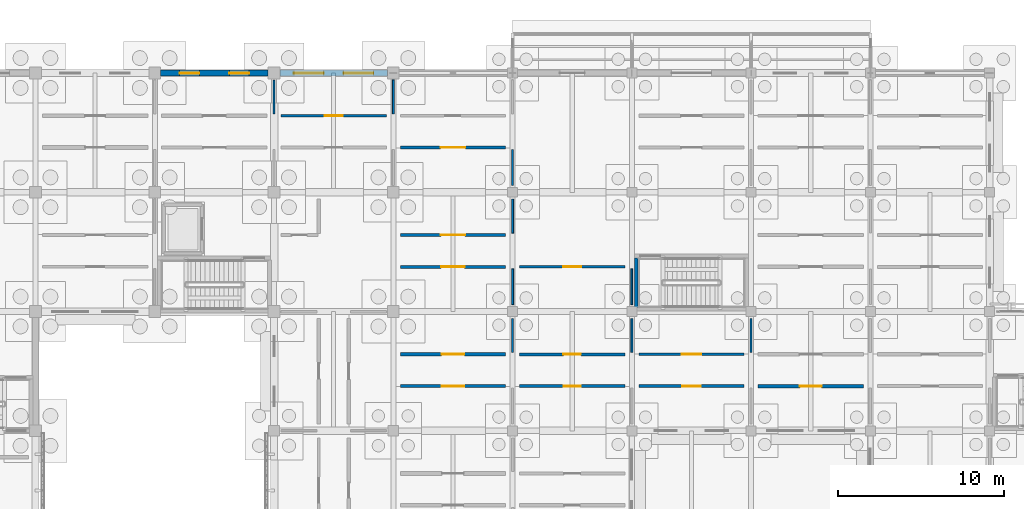
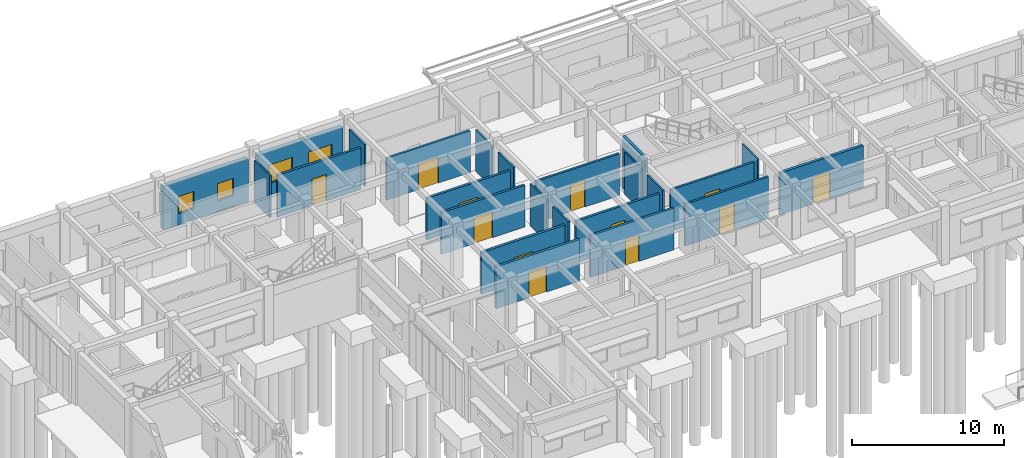
# One storey, part 70 of 111: 24 walls, 12 doors, 4 windows, 16 openings.
"""IFC4 building model written with IfcOpenShell, lengths in metres."""

import ifcopenshell
import ifcopenshell.guid

model = None  # the IFC model being written
_history = None  # IfcOwnerHistory: only IFC2X3 demands one
_inside = {}  # id of a spatial element -> (the spatial element, [elements in it])
_under = {}  # id of a project, library or spatial element -> (it, [spatial elements below it])
_declared = {}  # id of a project -> (the project, [libraries it declares])
_typed = {}  # id of a type object -> (the type object, [elements of that type])
_made_of = {}  # id of a material, layer set ... -> (it, [elements and type objects made of it])


def new_model(schema):
    """Start an empty IFC model of exactly this schema.

    Asked for "IFC4X3", IfcOpenShell would pick the latest addendum, in which some entities
    have other attributes; the version numbers below select the first issue.
    IFC2X3 requires an IfcOwnerHistory on every rooted entity: one is made here for all.
    """
    global model, _history
    if schema == "IFC4X3":
        model = ifcopenshell.file(schema_version=(4, 3, 0, 0))
    else:
        model = ifcopenshell.file(schema=schema)
    _inside.clear()
    _under.clear()
    _declared.clear()
    _typed.clear()
    _made_of.clear()
    _history = None
    if model.schema == "IFC2X3":
        org = make("IfcOrganization", Name="unknown")
        user = make(
            "IfcPersonAndOrganization",
            ThePerson=make("IfcPerson", FamilyName="unknown"),
            TheOrganization=org,
        )
        app = make(
            "IfcApplication",
            ApplicationDeveloper=org,
            Version="unknown",
            ApplicationFullName="unknown",
            ApplicationIdentifier="unknown",
        )
        _history = make(
            "IfcOwnerHistory",
            OwningUser=user,
            OwningApplication=app,
            ChangeAction="ADDED",
            CreationDate=0,
        )
    return model


def make(cls, **values):
    """One entity of the class cls with the attributes given. An attribute that is None is left unset."""
    return model.create_entity(
        cls, **{name: value for name, value in values.items() if value is not None}
    )


def rooted(cls, **values):
    """An entity with a GlobalId (a new one), such as an element, a storey or a relation."""
    return make(cls, GlobalId=ifcopenshell.guid.new(), OwnerHistory=_history, **values)


def si_unit(unit_type, name, prefix=None):
    """IfcSIUnit, for example si_unit("LENGTHUNIT", "METRE", prefix="MILLI")."""
    return make("IfcSIUnit", UnitType=unit_type, Prefix=prefix, Name=name)


def assignment(units):
    """IfcUnitAssignment: the units of a project."""
    return None if units is None else make("IfcUnitAssignment", Units=units)


def point(xyz):
    """IfcCartesianPoint."""
    return None if xyz is None else make("IfcCartesianPoint", Coordinates=xyz)


def direction(xyz):
    """IfcDirection."""
    return None if xyz is None else make("IfcDirection", DirectionRatios=xyz)


def frame(location, z_axis=None, x_axis=None):
    """IfcAxis2Placement3D, a coordinate frame: its origin and axes. An axis left out is left unset."""
    return make(
        "IfcAxis2Placement3D",
        Location=point(location),
        Axis=direction(z_axis),
        RefDirection=direction(x_axis),
    )


def frame_2d(location, x_axis=None):
    """IfcAxis2Placement2D, a coordinate frame in the plane: its origin and x axis."""
    return make(
        "IfcAxis2Placement2D", Location=point(location), RefDirection=direction(x_axis)
    )


def origin():
    """The frame at (0, 0, 0) with its axes left unset."""
    return frame((0.0, 0.0, 0.0))


def place(relative_to, where):
    """IfcLocalPlacement: puts the frame where relative to a parent placement (None: the world)."""
    return make(
        "IfcLocalPlacement", PlacementRelTo=relative_to, RelativePlacement=where
    )


def context(
    kind, dimensions, precision=None, world=None, true_north=None, identifier=None
):
    """IfcGeometricRepresentationContext, for example the 3D "Model" context."""
    return make(
        "IfcGeometricRepresentationContext",
        ContextIdentifier=identifier,
        ContextType=kind,
        CoordinateSpaceDimension=dimensions,
        Precision=precision,
        WorldCoordinateSystem=world,
        TrueNorth=true_north,
    )


def subcontext(parent, identifier, kind, view, scale=None):
    """IfcGeometricRepresentationSubContext, for example "Body" below "Model"."""
    return make(
        "IfcGeometricRepresentationSubContext",
        ContextIdentifier=identifier,
        ContextType=kind,
        ParentContext=parent,
        TargetScale=scale,
        TargetView=view,
    )


def project(units=None, contexts=None):
    """IfcProject with its units and contexts."""
    return rooted(
        "IfcProject",
        Name="project",
        RepresentationContexts=contexts,
        UnitsInContext=assignment(units),
    )


def spatial(cls, under=None, at=None, **own):
    """A site, building, storey or space (cls), placed at a placement, below another one or the project."""
    s = rooted(cls, ObjectPlacement=at, **own)
    if under is not None:
        _under.setdefault(under.id(), (under, []))[1].append(s)
    return s


def profile(cls, at=None, kind="AREA", **sizes):
    """A parametric profile (cls). Its sizes go by their IFC names, for example OverallWidth=200.0."""
    return make(cls, ProfileType=kind, Position=at, **sizes)


def rectangle(**sizes):
    """IfcRectangleProfileDef."""
    return profile("IfcRectangleProfileDef", **sizes)


def extrude(swept, where, along, depth):
    """IfcExtrudedAreaSolid: the profile swept, set in the frame where, extruded along a direction by depth."""
    return make(
        "IfcExtrudedAreaSolid",
        SweptArea=swept,
        Position=where,
        ExtrudedDirection=direction(along),
        Depth=depth,
    )


def shape(context_of_items, identifier, shape_type, items):
    """IfcShapeRepresentation: the items that make up one representation, for example the "Body"."""
    return make(
        "IfcShapeRepresentation",
        ContextOfItems=context_of_items,
        RepresentationIdentifier=identifier,
        RepresentationType=shape_type,
        Items=items,
    )


def material(Name=None, Category=None):
    """IfcMaterial."""
    return make("IfcMaterial", Name=Name, Category=Category)


def layer(
    of_material, thickness, ventilated=None, Name=None, Category=None, Priority=None
):
    """IfcMaterialLayer: one layer of a wall or slab, of a material (None: an air gap)."""
    return make(
        "IfcMaterialLayer",
        Material=of_material,
        LayerThickness=thickness,
        IsVentilated=ventilated,
        Name=Name,
        Category=Category,
        Priority=Priority,
    )


def layer_set(layers, Name=None):
    """IfcMaterialLayerSet."""
    return make("IfcMaterialLayerSet", MaterialLayers=layers, LayerSetName=Name)


def made_of(thing, what):
    """Note that an element or type object is made of a material, layer set ...; save() writes the relation."""
    if what is not None:
        _made_of.setdefault(what.id(), (what, []))[1].append(thing)
    return thing


def type_object(cls, material=None, **own):
    """A type object (cls), such as IfcWallType, which elements share."""
    return made_of(rooted(cls, **own), material)


def element(
    cls,
    number,
    at=None,
    inside=None,
    cuts=None,
    type_object=None,
    material=None,
    context=None,
    identifier="Body",
    shape_type=None,
    held_by="IfcProductDefinitionShape",
    body=None,
    shapes=None,
    **own,
):
    """One element of the class cls, such as IfcWall. Its Tag is "e" and its number.

    at: its placement. inside: the storey or other place that contains it. cuts: it is an
    opening in that element (IfcRelVoidsElement). A single representation is given by context,
    identifier, shape_type and body (its items); several are given by shapes. held_by: the class
    of the entity that holds the representations. save() writes the other relations.
    """
    e = rooted(cls, Tag="e%d" % number, ObjectPlacement=at, **own)
    if body is not None:
        shapes = [shape(context, identifier, shape_type, body)]
    if shapes is not None:
        e.Representation = make(held_by, Representations=shapes)
    if inside is not None:
        _inside.setdefault(inside.id(), (inside, []))[1].append(e)
    if cuts is not None:
        rooted(
            "IfcRelVoidsElement", RelatingBuildingElement=cuts, RelatedOpeningElement=e
        )
    if type_object is not None:
        _typed.setdefault(type_object.id(), (type_object, []))[1].append(e)
    return made_of(e, material)


def fill(opening, filler):
    """IfcRelFillsElement: the door or window that sits in an opening."""
    return rooted(
        "IfcRelFillsElement",
        RelatingOpeningElement=opening,
        RelatedBuildingElement=filler,
    )


def aggregate(whole, parts):
    """IfcRelAggregates: a whole, such as a stair, and the parts it consists of."""
    return rooted("IfcRelAggregates", RelatingObject=whole, RelatedObjects=parts)


def save(model, path):
    """Write the relations noted so far, then the file.

    IfcRelAggregates (storeys below a building ...), IfcRelContainedInSpatialStructure (elements
    in a storey), IfcRelDefinesByType, IfcRelAssociatesMaterial and IfcRelDeclares: one each for
    every whole, place, type object, material and project.
    """
    for whole, parts in _under.values():
        aggregate(whole, parts)
    for where, things in _inside.values():
        rooted(
            "IfcRelContainedInSpatialStructure",
            RelatedElements=things,
            RelatingStructure=where,
        )
    for kind, things in _typed.values():
        rooted("IfcRelDefinesByType", RelatedObjects=things, RelatingType=kind)
    for what, things in _made_of.values():
        rooted("IfcRelAssociatesMaterial", RelatedObjects=things, RelatingMaterial=what)
    for by, libraries in _declared.values():
        rooted("IfcRelDeclares", RelatingContext=by, RelatedDefinitions=libraries)
    model.write(path)


model = new_model("IFC4")

# Units and contexts
model_context = context("Model", 3, precision=1e-05, world=origin(), true_north=direction((0.0, 1.0)))
body_context = subcontext(model_context, "Body", "Model", "MODEL_VIEW")
ifc_project = project(units=[si_unit("LENGTHUNIT", "METRE"), si_unit("AREAUNIT", "SQUARE_METRE"), si_unit("VOLUMEUNIT", "CUBIC_METRE"), si_unit("PLANEANGLEUNIT", "RADIAN"), si_unit("MASSUNIT", "GRAM", prefix="KILO")], contexts=[model_context])

# Site, building, storey
site_placement = place(None, origin())
site = spatial("IfcSite", under=ifc_project, at=site_placement, CompositionType="ELEMENT")
building_placement = place(site_placement, origin())
building = spatial("IfcBuilding", under=site, at=building_placement, Name="Aldebral Square Health Centre", CompositionType="ELEMENT")
storey_placement = place(building_placement, origin())
storey = spatial("IfcBuildingStorey", under=building, at=storey_placement, Name="L00", CompositionType="ELEMENT", Elevation=0.0)

# Wall, openings, windows
ifc_material_1 = material(Name="Cream cantera stone and concrete wall C35/45", Category="masonry")
ifc_layer_1 = layer(ifc_material_1, 0.340087890625, Name="Cream cantera stone and concrete wall C35/45", Category="masonry")
ifc_layer_set_1 = layer_set([ifc_layer_1], Name="Cream cantera stone and concrete wall C35/45")
wall_type_1 = type_object("IfcWallType", Name="EW-CAN-340", PredefinedType="SOLIDWALL", material=ifc_layer_set_1)
wall_1_placement = place(storey_placement, frame((21.25, 115.199951171875, 0.0), z_axis=(0.0, 0.0, 1.0), x_axis=(-1.0, 0.0, 0.0)))
wall_1 = element("IfcWall", 1, at=wall_1_placement, inside=storey, type_object=wall_type_1, Name="L00 V4 exterior wall L00-V4-02-15-N", PredefinedType="SOLIDWALL", context=body_context, shape_type="SweptSolid", body=[
    extrude(rectangle(XDim=6.5, YDim=0.340087890625, at=frame_2d((3.25, 0.0))), origin(), (0.0, 0.0, 1.0), 3.469970703125),
])
opening_1_placement = place(wall_1_placement, frame((1.14990234375, 0.0, 0.89990234375)))
opening_1 = element("IfcOpeningElement", 2, at=opening_1_placement, cuts=wall_1, Name="Opening W12", PredefinedType="OPENING", context=body_context, shape_type="SweptSolid", body=[
    extrude(rectangle(XDim=1.199951171875, YDim=1.3798828125, at=frame_2d((0.60009765625, 0.68994140625))), frame((0.0, 0.18017578125, 0.0), z_axis=(0.0, -1.0, 0.0), x_axis=(1.0, 0.0, 0.0)), (0.0, 0.0, 1.0), 0.360107421875),
])
opening_2_placement = place(wall_1_placement, frame((4.14990234375, 0.0, 0.89990234375)))
opening_2 = element("IfcOpeningElement", 3, at=opening_2_placement, cuts=wall_1, Name="Opening W12", PredefinedType="OPENING", context=body_context, shape_type="SweptSolid", body=[
    extrude(rectangle(XDim=1.199951171875, YDim=1.3798828125, at=frame_2d((0.60009765625, 0.68994140625))), frame((0.0, 0.18017578125, 0.0), z_axis=(0.0, -1.0, 0.0), x_axis=(1.0, 0.0, 0.0)), (0.0, 0.0, 1.0), 0.360107421875),
])
ifc_material_2 = material(Name="Thermally broken aluminium and low-E glass", Category="aluminium")
window_type_1 = type_object("IfcWindowType", Name="WIN-W12", PartitioningType="SINGLE_PANEL", PredefinedType="WINDOW", material=ifc_material_2)
window_1_placement = place(opening_1_placement, origin())
window_1 = element("IfcWindow", 4, at=window_1_placement, inside=storey, type_object=window_type_1, Name="L00 clinical window L00-V4-02-15-N.1", OverallHeight=1.3798828125, OverallWidth=1.199951171875, PartitioningType="SINGLE_PANEL", PredefinedType="WINDOW", context=body_context, shape_type="SweptSolid", body=[
    extrude(rectangle(XDim=1.199951171875, YDim=1.3798828125, at=frame_2d((0.60009765625, 0.68994140625))), frame((0.0, 0.030029296875, 0.0), z_axis=(0.0, -1.0, 0.0), x_axis=(1.0, 0.0, 0.0)), (0.0, 0.0, 1.0), 0.06005859375),
])
fill(opening_1, window_1)
window_2_placement = place(opening_2_placement, origin())
window_2 = element("IfcWindow", 5, at=window_2_placement, inside=storey, type_object=window_type_1, Name="L00 clinical window L00-V4-02-15-N.2", OverallHeight=1.3798828125, OverallWidth=1.199951171875, PartitioningType="SINGLE_PANEL", PredefinedType="WINDOW", context=body_context, shape_type="SweptSolid", body=[
    extrude(rectangle(XDim=1.199951171875, YDim=1.3798828125, at=frame_2d((0.60009765625, 0.68994140625))), frame((0.0, 0.030029296875, 0.0), z_axis=(0.0, -1.0, 0.0), x_axis=(1.0, 0.0, 0.0)), (0.0, 0.0, 1.0), 0.06005859375),
])
fill(opening_2, window_2)

ifc_layer_2 = layer(ifc_material_1, 0.360107421875, Name="Cream cantera stone and concrete wall C35/45", Category="masonry")
ifc_layer_set_2 = layer_set([ifc_layer_2], Name="Cream cantera stone and concrete wall C35/45")
wall_type_2 = type_object("IfcWallType", Name="EW-CAN-360", PredefinedType="SOLIDWALL", material=ifc_layer_set_2)
wall_2_placement = place(storey_placement, frame((28.449951171875, 115.199951171875, 0.0), z_axis=(0.0, 0.0, 1.0), x_axis=(-1.0, 0.0, 0.0)))
wall_2 = element("IfcWall", 6, at=wall_2_placement, inside=storey, type_object=wall_type_2, Name="L00 V4 exterior wall L00-V4-03-15-N", PredefinedType="SOLIDWALL", context=body_context, shape_type="SweptSolid", body=[
    extrude(rectangle(XDim=6.5, YDim=0.360107421875, at=frame_2d((3.25, 0.0))), origin(), (0.0, 0.0, 1.0), 3.469970703125),
])
opening_3_placement = place(wall_2_placement, frame((0.85009765625, 0.0, 0.89990234375)))
opening_3 = element("IfcOpeningElement", 7, at=opening_3_placement, cuts=wall_2, Name="Opening W25", PredefinedType="OPENING", context=body_context, shape_type="SweptSolid", body=[
    extrude(rectangle(XDim=1.800048828125, YDim=1.5, at=frame_2d((0.89990234375, 0.75))), frame((0.0, 0.18994140625, 0.0), z_axis=(0.0, -1.0, 0.0), x_axis=(1.0, 0.0, 0.0)), (0.0, 0.0, 1.0), 0.380126953125),
])
opening_4_placement = place(wall_2_placement, frame((3.85009765625, 0.0, 0.89990234375)))
opening_4 = element("IfcOpeningElement", 8, at=opening_4_placement, cuts=wall_2, Name="Opening W25", PredefinedType="OPENING", context=body_context, shape_type="SweptSolid", body=[
    extrude(rectangle(XDim=1.800048828125, YDim=1.5, at=frame_2d((0.89990234375, 0.75))), frame((0.0, 0.18994140625, 0.0), z_axis=(0.0, -1.0, 0.0), x_axis=(1.0, 0.0, 0.0)), (0.0, 0.0, 1.0), 0.380126953125),
])
window_type_2 = type_object("IfcWindowType", Name="WIN-W25", PartitioningType="SINGLE_PANEL", PredefinedType="WINDOW", material=ifc_material_2)
window_3_placement = place(opening_3_placement, origin())
window_3 = element("IfcWindow", 9, at=window_3_placement, inside=storey, type_object=window_type_2, Name="L00 clinical window L00-V4-03-15-N.1", OverallHeight=1.5, OverallWidth=1.800048828125, PartitioningType="SINGLE_PANEL", PredefinedType="WINDOW", context=body_context, shape_type="SweptSolid", body=[
    extrude(rectangle(XDim=1.800048828125, YDim=1.5, at=frame_2d((0.89990234375, 0.75))), frame((0.0, 0.030029296875, 0.0), z_axis=(0.0, -1.0, 0.0), x_axis=(1.0, 0.0, 0.0)), (0.0, 0.0, 1.0), 0.06005859375),
])
fill(opening_3, window_3)
window_4_placement = place(opening_4_placement, origin())
window_4 = element("IfcWindow", 10, at=window_4_placement, inside=storey, type_object=window_type_2, Name="L00 clinical window L00-V4-03-15-N.2", OverallHeight=1.5, OverallWidth=1.800048828125, PartitioningType="SINGLE_PANEL", PredefinedType="WINDOW", context=body_context, shape_type="SweptSolid", body=[
    extrude(rectangle(XDim=1.800048828125, YDim=1.5, at=frame_2d((0.89990234375, 0.75))), frame((0.0, 0.030029296875, 0.0), z_axis=(0.0, -1.0, 0.0), x_axis=(1.0, 0.0, 0.0)), (0.0, 0.0, 1.0), 0.06005859375),
])
fill(opening_4, window_4)

# Wall, opening, door
ifc_material_3 = material(Name="Concrete C35/45 compartment wall", Category="concrete")
ifc_layer_3 = layer(ifc_material_3, 0.199951171875, Name="Concrete C35/45 compartment wall", Category="concrete")
ifc_layer_set_3 = layer_set([ifc_layer_3], Name="Concrete C35/45 compartment wall")
wall_type_3 = type_object("IfcWallType", Name="IW-CMP-200", PredefinedType="SOLIDWALL", material=ifc_layer_set_3)
wall_3_placement = place(storey_placement, frame((29.219970703125, 96.300048828125, 0.0), z_axis=(0.0, 0.0, 1.0), x_axis=(1.0, 0.0, 0.0)))
wall_3 = element("IfcWall", 11, at=wall_3_placement, inside=storey, type_object=wall_type_3, Name="L00 Microbiology Laboratory 5.14S corridor wall", PredefinedType="SOLIDWALL", context=body_context, shape_type="SweptSolid", body=[
    extrude(rectangle(XDim=6.360107421875, YDim=0.199951171875, at=frame_2d((3.18017578125, 0.0))), origin(), (0.0, 0.0, 1.0), 3.360107421875),
])
opening_5_placement = place(wall_3_placement, frame((2.510009765625, 0.0, 0.0)))
opening_5 = element("IfcOpeningElement", 12, at=opening_5_placement, cuts=wall_3, Name="Opening D-FD60-32", PredefinedType="OPENING", context=body_context, shape_type="SweptSolid", body=[
    extrude(rectangle(XDim=1.340087890625, YDim=2.090087890625, at=frame_2d((0.669921875, 1.044921875))), frame((0.0, 0.10986328125, 0.0), z_axis=(0.0, -1.0, 0.0), x_axis=(1.0, 0.0, 0.0)), (0.0, 0.0, 1.0), 0.219970703125),
])
ifc_material_4 = material(Name="Clinical suite fire door")
door_type_1 = type_object("IfcDoorType", Name="ID-EXD-27", OperationType="NOTDEFINED", PredefinedType="DOOR", material=ifc_material_4)
door_1_placement = place(opening_5_placement, origin())
door_1 = element("IfcDoor", 13, at=door_1_placement, inside=storey, type_object=door_type_1, Name="L00 Microbiology Laboratory 5.14S door", OperationType="SINGLE_SWING_LEFT", OverallHeight=2.090087890625, OverallWidth=1.340087890625, PredefinedType="DOOR", context=body_context, shape_type="SweptSolid", body=[
    extrude(rectangle(XDim=1.340087890625, YDim=2.090087890625, at=frame_2d((0.669921875, 1.044921875))), frame((0.0, 0.02490234375, 0.0), z_axis=(0.0, -1.0, 0.0), x_axis=(1.0, 0.0, 0.0)), (0.0, 0.0, 1.0), 0.050048828125),
])
fill(opening_5, door_1)

wall_4_placement = place(storey_placement, frame((29.219970703125, 98.219970703125, 0.0), z_axis=(0.0, 0.0, 1.0), x_axis=(1.0, 0.0, 0.0)))
wall_4 = element("IfcWall", 14, at=wall_4_placement, inside=storey, type_object=wall_type_3, Name="L00 Urgent Triage Exam 5.14N corridor wall", PredefinedType="SOLIDWALL", context=body_context, shape_type="SweptSolid", body=[
    extrude(rectangle(XDim=6.360107421875, YDim=0.199951171875, at=frame_2d((3.18017578125, 0.0))), origin(), (0.0, 0.0, 1.0), 3.360107421875),
])
opening_6_placement = place(wall_4_placement, frame((2.489990234375, 0.0, 0.0)))
opening_6 = element("IfcOpeningElement", 15, at=opening_6_placement, cuts=wall_4, Name="Opening D-FD60-33", PredefinedType="OPENING", context=body_context, shape_type="SweptSolid", body=[
    extrude(rectangle(XDim=1.3798828125, YDim=2.090087890625, at=frame_2d((0.68994140625, 1.044921875))), frame((0.0, 0.10986328125, 0.0), z_axis=(0.0, -1.0, 0.0), x_axis=(1.0, 0.0, 0.0)), (0.0, 0.0, 1.0), 0.219970703125),
])
door_type_2 = type_object("IfcDoorType", Name="ID-EXD-28", OperationType="NOTDEFINED", PredefinedType="DOOR", material=ifc_material_4)
door_2_placement = place(opening_6_placement, origin())
door_2 = element("IfcDoor", 16, at=door_2_placement, inside=storey, type_object=door_type_2, Name="L00 Urgent Triage Exam 5.14N door", OperationType="SINGLE_SWING_RIGHT", OverallHeight=2.090087890625, OverallWidth=1.3798828125, PredefinedType="DOOR", context=body_context, shape_type="SweptSolid", body=[
    extrude(rectangle(XDim=1.3798828125, YDim=2.090087890625, at=frame_2d((0.68994140625, 1.044921875))), frame((0.0, 0.02490234375, 0.0), z_axis=(0.0, -1.0, 0.0), x_axis=(1.0, 0.0, 0.0)), (0.0, 0.0, 1.0), 0.050048828125),
])
fill(opening_6, door_2)

ifc_material_5 = material(Name="Fire-rated acoustic gypsum partition")
ifc_layer_4 = layer(ifc_material_5, 0.1650390625, Name="Fire-rated acoustic gypsum partition")
ifc_layer_set_4 = layer_set([ifc_layer_4], Name="Fire-rated acoustic gypsum partition")
wall_type_4 = type_object("IfcWallType", Name="IW-COR-165", PredefinedType="PARTITIONING", material=ifc_layer_set_4)
wall_5_placement = place(storey_placement, frame((29.219970703125, 110.699951171875, 0.0), z_axis=(0.0, 0.0, 1.0), x_axis=(1.0, 0.0, 0.0)))
wall_5 = element("IfcWall", 17, at=wall_5_placement, inside=storey, type_object=wall_type_4, Name="L00 Electrical Switchroom 5.16S corridor wall", PredefinedType="PARTITIONING", context=body_context, shape_type="SweptSolid", body=[
    extrude(rectangle(XDim=6.360107421875, YDim=0.1650390625, at=frame_2d((3.18017578125, 0.0))), origin(), (0.0, 0.0, 1.0), 3.360107421875),
])
opening_7_placement = place(wall_5_placement, frame((2.429931640625, 0.0, 0.0)))
opening_7 = element("IfcOpeningElement", 18, at=opening_7_placement, cuts=wall_5, Name="Opening D-FD60-36", PredefinedType="OPENING", context=body_context, shape_type="SweptSolid", body=[
    extrude(rectangle(XDim=1.5, YDim=2.090087890625, at=frame_2d((0.75, 1.044921875))), frame((0.0, 0.092529296875, 0.0), z_axis=(0.0, -1.0, 0.0), x_axis=(1.0, 0.0, 0.0)), (0.0, 0.0, 1.0), 0.18505859375),
])
door_type_3 = type_object("IfcDoorType", Name="ID-EXD-31", OperationType="NOTDEFINED", PredefinedType="DOOR", material=ifc_material_4)
door_3_placement = place(opening_7_placement, origin())
door_3 = element("IfcDoor", 19, at=door_3_placement, inside=storey, type_object=door_type_3, Name="L00 Electrical Switchroom 5.16S door", OperationType="SINGLE_SWING_LEFT", OverallHeight=2.090087890625, OverallWidth=1.5, PredefinedType="DOOR", context=body_context, shape_type="SweptSolid", body=[
    extrude(rectangle(XDim=1.5, YDim=2.090087890625, at=frame_2d((0.75, 1.044921875))), frame((0.0, 0.02490234375, 0.0), z_axis=(0.0, -1.0, 0.0), x_axis=(1.0, 0.0, 0.0)), (0.0, 0.0, 1.0), 0.050048828125),
])
fill(opening_7, door_3)

wall_6_placement = place(storey_placement, frame((36.419921875, 103.5, 0.0), z_axis=(0.0, 0.0, 1.0), x_axis=(1.0, 0.0, 0.0)))
wall_6 = element("IfcWall", 20, at=wall_6_placement, inside=storey, type_object=wall_type_4, Name="L00 Urgent Triage Exam 6.15S corridor wall", PredefinedType="PARTITIONING", context=body_context, shape_type="SweptSolid", body=[
    extrude(rectangle(XDim=6.360107421875, YDim=0.1650390625, at=frame_2d((3.18017578125, 0.0))), origin(), (0.0, 0.0, 1.0), 3.360107421875),
])
opening_8_placement = place(wall_6_placement, frame((2.6298828125, 0.0, 0.0)))
opening_8 = element("IfcOpeningElement", 21, at=opening_8_placement, cuts=wall_6, Name="Opening D-FD60-42", PredefinedType="OPENING", context=body_context, shape_type="SweptSolid", body=[
    extrude(rectangle(XDim=1.10009765625, YDim=2.139892578125, at=frame_2d((0.550048828125, 1.06982421875))), frame((0.0, 0.092529296875, 0.0), z_axis=(0.0, -1.0, 0.0), x_axis=(1.0, 0.0, 0.0)), (0.0, 0.0, 1.0), 0.18505859375),
])
door_type_4 = type_object("IfcDoorType", Name="ID-EXD-37", OperationType="NOTDEFINED", PredefinedType="DOOR", material=ifc_material_4)
door_4_placement = place(opening_8_placement, origin())
door_4 = element("IfcDoor", 22, at=door_4_placement, inside=storey, type_object=door_type_4, Name="L00 Urgent Triage Exam 6.15S door", OperationType="SINGLE_SWING_LEFT", OverallHeight=2.139892578125, OverallWidth=1.10009765625, PredefinedType="DOOR", context=body_context, shape_type="SweptSolid", body=[
    extrude(rectangle(XDim=1.10009765625, YDim=2.139892578125, at=frame_2d((0.550048828125, 1.06982421875))), frame((0.0, 0.02490234375, 0.0), z_axis=(0.0, -1.0, 0.0), x_axis=(1.0, 0.0, 0.0)), (0.0, 0.0, 1.0), 0.050048828125),
])
fill(opening_8, door_4)

wall_7_placement = place(storey_placement, frame((43.6201171875, 96.300048828125, 0.0), z_axis=(0.0, 0.0, 1.0), x_axis=(1.0, 0.0, 0.0)))
wall_7 = element("IfcWall", 23, at=wall_7_placement, inside=storey, type_object=wall_type_4, Name="L00 Observation Bay 7.14S corridor wall", PredefinedType="PARTITIONING", context=body_context, shape_type="SweptSolid", body=[
    extrude(rectangle(XDim=6.35986328125, YDim=0.1650390625, at=frame_2d((3.179931640625, 0.0))), origin(), (0.0, 0.0, 1.0), 3.360107421875),
])
opening_9_placement = place(wall_7_placement, frame((2.610107421875, 0.0, 0.0)))
opening_9 = element("IfcOpeningElement", 24, at=opening_9_placement, cuts=wall_7, Name="Opening D-FD60-43", PredefinedType="OPENING", context=body_context, shape_type="SweptSolid", body=[
    extrude(rectangle(XDim=1.139892578125, YDim=2.139892578125, at=frame_2d((0.56982421875, 1.06982421875))), frame((0.0, 0.092529296875, 0.0), z_axis=(0.0, -1.0, 0.0), x_axis=(1.0, 0.0, 0.0)), (0.0, 0.0, 1.0), 0.18505859375),
])
door_type_5 = type_object("IfcDoorType", Name="ID-EXD-38", OperationType="NOTDEFINED", PredefinedType="DOOR", material=ifc_material_4)
door_5_placement = place(opening_9_placement, origin())
door_5 = element("IfcDoor", 25, at=door_5_placement, inside=storey, type_object=door_type_5, Name="L00 Observation Bay 7.14S door", OperationType="SINGLE_SWING_RIGHT", OverallHeight=2.139892578125, OverallWidth=1.139892578125, PredefinedType="DOOR", context=body_context, shape_type="SweptSolid", body=[
    extrude(rectangle(XDim=1.139892578125, YDim=2.139892578125, at=frame_2d((0.56982421875, 1.06982421875))), frame((0.0, 0.02490234375, 0.0), z_axis=(0.0, -1.0, 0.0), x_axis=(1.0, 0.0, 0.0)), (0.0, 0.0, 1.0), 0.050048828125),
])
fill(opening_9, door_5)

wall_8_placement = place(storey_placement, frame((43.6201171875, 98.219970703125, 0.0), z_axis=(0.0, 0.0, 1.0), x_axis=(1.0, 0.0, 0.0)))
wall_8 = element("IfcWall", 26, at=wall_8_placement, inside=storey, type_object=wall_type_4, Name="L00 Medical Gas Manifold 7.14N corridor wall", PredefinedType="PARTITIONING", context=body_context, shape_type="SweptSolid", body=[
    extrude(rectangle(XDim=6.35986328125, YDim=0.1650390625, at=frame_2d((3.179931640625, 0.0))), origin(), (0.0, 0.0, 1.0), 3.360107421875),
])
opening_10_placement = place(wall_8_placement, frame((2.590087890625, 0.0, 0.0)))
opening_10 = element("IfcOpeningElement", 27, at=opening_10_placement, cuts=wall_8, Name="Opening D-FD60-44", PredefinedType="OPENING", context=body_context, shape_type="SweptSolid", body=[
    extrude(rectangle(XDim=1.179931640625, YDim=2.139892578125, at=frame_2d((0.58984375, 1.06982421875))), frame((0.0, 0.092529296875, 0.0), z_axis=(0.0, -1.0, 0.0), x_axis=(1.0, 0.0, 0.0)), (0.0, 0.0, 1.0), 0.18505859375),
])
door_type_6 = type_object("IfcDoorType", Name="ID-EXD-39", OperationType="NOTDEFINED", PredefinedType="DOOR", material=ifc_material_4)
door_6_placement = place(opening_10_placement, origin())
door_6 = element("IfcDoor", 28, at=door_6_placement, inside=storey, type_object=door_type_6, Name="L00 Medical Gas Manifold 7.14N door", OperationType="SINGLE_SWING_LEFT", OverallHeight=2.139892578125, OverallWidth=1.179931640625, PredefinedType="DOOR", context=body_context, shape_type="SweptSolid", body=[
    extrude(rectangle(XDim=1.179931640625, YDim=2.139892578125, at=frame_2d((0.58984375, 1.06982421875))), frame((0.0, 0.02490234375, 0.0), z_axis=(0.0, -1.0, 0.0), x_axis=(1.0, 0.0, 0.0)), (0.0, 0.0, 1.0), 0.050048828125),
])
fill(opening_10, door_6)

ifc_layer_5 = layer(ifc_material_5, 0.179931640625, Name="Fire-rated acoustic gypsum partition")
ifc_layer_set_5 = layer_set([ifc_layer_5], Name="Fire-rated acoustic gypsum partition")
wall_type_5 = type_object("IfcWallType", Name="IW-COR-180", PredefinedType="PARTITIONING", material=ifc_layer_set_5)
wall_9_placement = place(storey_placement, frame((29.219970703125, 103.5, 0.0), z_axis=(0.0, 0.0, 1.0), x_axis=(1.0, 0.0, 0.0)))
wall_9 = element("IfcWall", 29, at=wall_9_placement, inside=storey, type_object=wall_type_5, Name="L00 Observation Bay 5.15S corridor wall", PredefinedType="PARTITIONING", context=body_context, shape_type="SweptSolid", body=[
    extrude(rectangle(XDim=6.360107421875, YDim=0.179931640625, at=frame_2d((3.18017578125, 0.0))), origin(), (0.0, 0.0, 1.0), 3.360107421875),
])
opening_11_placement = place(wall_9_placement, frame((2.469970703125, 0.0, 0.0)))
opening_11 = element("IfcOpeningElement", 30, at=opening_11_placement, cuts=wall_9, Name="Opening D-FD60-34", PredefinedType="OPENING", context=body_context, shape_type="SweptSolid", body=[
    extrude(rectangle(XDim=1.419921875, YDim=2.090087890625, at=frame_2d((0.7099609375, 1.044921875))), frame((0.0, 0.10009765625, 0.0), z_axis=(0.0, -1.0, 0.0), x_axis=(1.0, 0.0, 0.0)), (0.0, 0.0, 1.0), 0.199951171875),
])
door_type_7 = type_object("IfcDoorType", Name="ID-EXD-29", OperationType="NOTDEFINED", PredefinedType="DOOR", material=ifc_material_4)
door_7_placement = place(opening_11_placement, origin())
door_7 = element("IfcDoor", 31, at=door_7_placement, inside=storey, type_object=door_type_7, Name="L00 Observation Bay 5.15S door", OperationType="SINGLE_SWING_LEFT", OverallHeight=2.090087890625, OverallWidth=1.419921875, PredefinedType="DOOR", context=body_context, shape_type="SweptSolid", body=[
    extrude(rectangle(XDim=1.419921875, YDim=2.090087890625, at=frame_2d((0.7099609375, 1.044921875))), frame((0.0, 0.02490234375, 0.0), z_axis=(0.0, -1.0, 0.0), x_axis=(1.0, 0.0, 0.0)), (0.0, 0.0, 1.0), 0.050048828125),
])
fill(opening_11, door_7)

wall_10_placement = place(storey_placement, frame((29.219970703125, 105.419921875, 0.0), z_axis=(0.0, 0.0, 1.0), x_axis=(1.0, 0.0, 0.0)))
wall_10 = element("IfcWall", 32, at=wall_10_placement, inside=storey, type_object=wall_type_5, Name="L00 Medical Gas Manifold 5.15N corridor wall", PredefinedType="PARTITIONING", context=body_context, shape_type="SweptSolid", body=[
    extrude(rectangle(XDim=6.360107421875, YDim=0.179931640625, at=frame_2d((3.18017578125, 0.0))), origin(), (0.0, 0.0, 1.0), 3.360107421875),
])
opening_12_placement = place(wall_10_placement, frame((2.449951171875, 0.0, 0.0)))
opening_12 = element("IfcOpeningElement", 33, at=opening_12_placement, cuts=wall_10, Name="Opening D-FD60-35", PredefinedType="OPENING", context=body_context, shape_type="SweptSolid", body=[
    extrude(rectangle(XDim=1.4599609375, YDim=2.090087890625, at=frame_2d((0.72998046875, 1.044921875))), frame((0.0, 0.10009765625, 0.0), z_axis=(0.0, -1.0, 0.0), x_axis=(1.0, 0.0, 0.0)), (0.0, 0.0, 1.0), 0.199951171875),
])
door_type_8 = type_object("IfcDoorType", Name="ID-EXD-30", OperationType="NOTDEFINED", PredefinedType="DOOR", material=ifc_material_4)
door_8_placement = place(opening_12_placement, origin())
door_8 = element("IfcDoor", 34, at=door_8_placement, inside=storey, type_object=door_type_8, Name="L00 Medical Gas Manifold 5.15N door", OperationType="SINGLE_SWING_RIGHT", OverallHeight=2.090087890625, OverallWidth=1.4599609375, PredefinedType="DOOR", context=body_context, shape_type="SweptSolid", body=[
    extrude(rectangle(XDim=1.4599609375, YDim=2.090087890625, at=frame_2d((0.72998046875, 1.044921875))), frame((0.0, 0.02490234375, 0.0), z_axis=(0.0, -1.0, 0.0), x_axis=(1.0, 0.0, 0.0)), (0.0, 0.0, 1.0), 0.050048828125),
])
fill(opening_12, door_8)

wall_11_placement = place(storey_placement, frame((36.419921875, 96.300048828125, 0.0), z_axis=(0.0, 0.0, 1.0), x_axis=(1.0, 0.0, 0.0)))
wall_11 = element("IfcWall", 35, at=wall_11_placement, inside=storey, type_object=wall_type_5, Name="L00 Phlebotomy Suite 6.14S corridor wall", PredefinedType="PARTITIONING", context=body_context, shape_type="SweptSolid", body=[
    extrude(rectangle(XDim=6.360107421875, YDim=0.179931640625, at=frame_2d((3.18017578125, 0.0))), origin(), (0.0, 0.0, 1.0), 3.360107421875),
])
opening_13_placement = place(wall_11_placement, frame((2.669921875, 0.0, 0.0)))
opening_13 = element("IfcOpeningElement", 36, at=opening_13_placement, cuts=wall_11, Name="Opening D-FD60-40", PredefinedType="OPENING", context=body_context, shape_type="SweptSolid", body=[
    extrude(rectangle(XDim=1.02001953125, YDim=2.139892578125, at=frame_2d((0.510009765625, 1.06982421875))), frame((0.0, 0.10009765625, 0.0), z_axis=(0.0, -1.0, 0.0), x_axis=(1.0, 0.0, 0.0)), (0.0, 0.0, 1.0), 0.199951171875),
])
door_type_9 = type_object("IfcDoorType", Name="ID-EXD-35", OperationType="NOTDEFINED", PredefinedType="DOOR", material=ifc_material_4)
door_9_placement = place(opening_13_placement, origin())
door_9 = element("IfcDoor", 37, at=door_9_placement, inside=storey, type_object=door_type_9, Name="L00 Phlebotomy Suite 6.14S door", OperationType="SINGLE_SWING_LEFT", OverallHeight=2.139892578125, OverallWidth=1.02001953125, PredefinedType="DOOR", context=body_context, shape_type="SweptSolid", body=[
    extrude(rectangle(XDim=1.02001953125, YDim=2.139892578125, at=frame_2d((0.510009765625, 1.06982421875))), frame((0.0, 0.02490234375, 0.0), z_axis=(0.0, -1.0, 0.0), x_axis=(1.0, 0.0, 0.0)), (0.0, 0.0, 1.0), 0.050048828125),
])
fill(opening_13, door_9)

wall_12_placement = place(storey_placement, frame((36.419921875, 98.219970703125, 0.0), z_axis=(0.0, 0.0, 1.0), x_axis=(1.0, 0.0, 0.0)))
wall_12 = element("IfcWall", 38, at=wall_12_placement, inside=storey, type_object=wall_type_5, Name="L00 Microbiology Laboratory 6.14N corridor wall", PredefinedType="PARTITIONING", context=body_context, shape_type="SweptSolid", body=[
    extrude(rectangle(XDim=6.360107421875, YDim=0.179931640625, at=frame_2d((3.18017578125, 0.0))), origin(), (0.0, 0.0, 1.0), 3.360107421875),
])
opening_14_placement = place(wall_12_placement, frame((2.64990234375, 0.0, 0.0)))
opening_14 = element("IfcOpeningElement", 39, at=opening_14_placement, cuts=wall_12, Name="Opening D-FD60-41", PredefinedType="OPENING", context=body_context, shape_type="SweptSolid", body=[
    extrude(rectangle(XDim=1.06005859375, YDim=2.139892578125, at=frame_2d((0.530029296875, 1.06982421875))), frame((0.0, 0.10009765625, 0.0), z_axis=(0.0, -1.0, 0.0), x_axis=(1.0, 0.0, 0.0)), (0.0, 0.0, 1.0), 0.199951171875),
])
door_type_10 = type_object("IfcDoorType", Name="ID-EXD-36", OperationType="NOTDEFINED", PredefinedType="DOOR", material=ifc_material_4)
door_10_placement = place(opening_14_placement, origin())
door_10 = element("IfcDoor", 40, at=door_10_placement, inside=storey, type_object=door_type_10, Name="L00 Microbiology Laboratory 6.14N door", OperationType="SINGLE_SWING_RIGHT", OverallHeight=2.139892578125, OverallWidth=1.06005859375, PredefinedType="DOOR", context=body_context, shape_type="SweptSolid", body=[
    extrude(rectangle(XDim=1.06005859375, YDim=2.139892578125, at=frame_2d((0.530029296875, 1.06982421875))), frame((0.0, 0.02490234375, 0.0), z_axis=(0.0, -1.0, 0.0), x_axis=(1.0, 0.0, 0.0)), (0.0, 0.0, 1.0), 0.050048828125),
])
fill(opening_14, door_10)

wall_13_placement = place(storey_placement, frame((22.02001953125, 112.6201171875, 0.0), z_axis=(0.0, 0.0, 1.0), x_axis=(1.0, 0.0, 0.0)))
wall_13 = element("IfcWall", 41, at=wall_13_placement, inside=storey, type_object=wall_type_5, Name="L00 Triage Nurse Station 4.16N corridor wall", PredefinedType="PARTITIONING", context=body_context, shape_type="SweptSolid", body=[
    extrude(rectangle(XDim=6.35986328125, YDim=0.179931640625, at=frame_2d((3.179931640625, 0.0))), origin(), (0.0, 0.0, 1.0), 3.360107421875),
])
opening_15_placement = place(wall_13_placement, frame((2.6298828125, 0.0, 0.0)))
opening_15 = element("IfcOpeningElement", 42, at=opening_15_placement, cuts=wall_13, Name="Opening D-0121", PredefinedType="OPENING", context=body_context, shape_type="SweptSolid", body=[
    extrude(rectangle(XDim=1.10009765625, YDim=2.139892578125, at=frame_2d((0.550048828125, 1.06982421875))), frame((0.0, 0.10009765625, 0.0), z_axis=(0.0, -1.0, 0.0), x_axis=(1.0, 0.0, 0.0)), (0.0, 0.0, 1.0), 0.199951171875),
])
door_11_placement = place(opening_15_placement, origin())
door_11 = element("IfcDoor", 43, at=door_11_placement, inside=storey, type_object=door_type_4, Name="L00 Triage Nurse Station 4.16N door", OperationType="SINGLE_SWING_RIGHT", OverallHeight=2.139892578125, OverallWidth=1.10009765625, PredefinedType="DOOR", context=body_context, shape_type="SweptSolid", body=[
    extrude(rectangle(XDim=1.10009765625, YDim=2.139892578125, at=frame_2d((0.550048828125, 1.06982421875))), frame((0.0, 0.02490234375, 0.0), z_axis=(0.0, -1.0, 0.0), x_axis=(1.0, 0.0, 0.0)), (0.0, 0.0, 1.0), 0.050048828125),
])
fill(opening_15, door_11)

# Wall
ifc_material_6 = material(Name="Concrete C40/50", Category="concrete")
ifc_layer_6 = layer(ifc_material_6, 0.219970703125, Name="Concrete C40/50", Category="concrete")
ifc_layer_set_6 = layer_set([ifc_layer_6], Name="Concrete C40/50")
wall_type_6 = type_object("IfcWallType", Name="IW-CORE-280", PredefinedType="SHEAR", material=ifc_layer_set_6)
wall_14_placement = place(storey_placement, frame((43.469970703125, 101.0400390625, -0.25), z_axis=(0.0, 0.0, 1.0), x_axis=(0.0, 1.0, 0.0)))
element("IfcWall", 44, at=wall_14_placement, inside=storey, type_object=wall_type_6, Name="L00 WS-S6 shaft wall W", PredefinedType="SHEAR", context=body_context, shape_type="SweptSolid", body=[
    extrude(rectangle(XDim=3.0, YDim=0.219970703125, at=frame_2d((1.5, 0.0))), origin(), (0.0, 0.0, 1.0), 4.469970703125),
])

# Wall, opening, door
ifc_material_7 = material(Name="Moisture-resistant sanitary chase wall")
ifc_layer_7 = layer(ifc_material_7, 0.2099609375, Name="Moisture-resistant sanitary chase wall")
ifc_layer_set_7 = layer_set([ifc_layer_7], Name="Moisture-resistant sanitary chase wall")
wall_type_7 = type_object("IfcWallType", Name="IW-PLB-210", PredefinedType="PLUMBINGWALL", material=ifc_layer_set_7)
wall_15_placement = place(storey_placement, frame((50.820068359375, 96.300048828125, 0.0), z_axis=(0.0, 0.0, 1.0), x_axis=(1.0, 0.0, 0.0)))
wall_15 = element("IfcWall", 45, at=wall_15_placement, inside=storey, type_object=wall_type_7, Name="L00 Accessible WC 8.14S corridor wall", PredefinedType="PLUMBINGWALL", context=body_context, shape_type="SweptSolid", body=[
    extrude(rectangle(XDim=6.35986328125, YDim=0.2099609375, at=frame_2d((3.179931640625, 0.0))), origin(), (0.0, 0.0, 1.0), 3.360107421875),
])
opening_16_placement = place(wall_15_placement, frame((2.530029296875, 0.0, 0.0)))
opening_16 = element("IfcOpeningElement", 46, at=opening_16_placement, cuts=wall_15, Name="Opening D-FD60-47", PredefinedType="OPENING", context=body_context, shape_type="SweptSolid", body=[
    extrude(rectangle(XDim=1.300048828125, YDim=2.139892578125, at=frame_2d((0.64990234375, 1.06982421875))), frame((0.0, 0.114990234375, 0.0), z_axis=(0.0, -1.0, 0.0), x_axis=(1.0, 0.0, 0.0)), (0.0, 0.0, 1.0), 0.22998046875),
])
door_type_11 = type_object("IfcDoorType", Name="ID-EXD-42", OperationType="NOTDEFINED", PredefinedType="DOOR", material=ifc_material_4)
door_12_placement = place(opening_16_placement, origin())
door_12 = element("IfcDoor", 47, at=door_12_placement, inside=storey, type_object=door_type_11, Name="L00 Accessible WC 8.14S door", OperationType="SINGLE_SWING_RIGHT", OverallHeight=2.139892578125, OverallWidth=1.300048828125, PredefinedType="DOOR", context=body_context, shape_type="SweptSolid", body=[
    extrude(rectangle(XDim=1.300048828125, YDim=2.139892578125, at=frame_2d((0.64990234375, 1.06982421875))), frame((0.0, 0.02490234375, 0.0), z_axis=(0.0, -1.0, 0.0), x_axis=(1.0, 0.0, 0.0)), (0.0, 0.0, 1.0), 0.050048828125),
])
fill(opening_16, door_12)

# Walls
ifc_material_8 = material(Name="Lightweight clinical partition")
ifc_layer_8 = layer(ifc_material_8, 0.10498046875, Name="Lightweight clinical partition")
ifc_layer_set_8 = layer_set([ifc_layer_8], Name="Lightweight clinical partition")
wall_type_8 = type_object("IfcWallType", Name="IW-PRT-105", PredefinedType="PARTITIONING", material=ifc_layer_set_8)
wall_16_placement = place(storey_placement, frame((36.0, 108.419921875, 0.0), z_axis=(0.0, 0.0, 1.0), x_axis=(0.0, 1.0, 0.0)))
element("IfcWall", 48, at=wall_16_placement, inside=storey, type_object=wall_type_8, Name="L00 Electrical Switchroom 5.16S demising partition", PredefinedType="PARTITIONING", context=body_context, shape_type="SweptSolid", body=[
    extrude(rectangle(XDim=2.16015625, YDim=0.10498046875, at=frame_2d((1.080078125, 0.0))), origin(), (0.0, 0.0, 1.0), 3.360107421875),
])
wall_17_placement = place(storey_placement, frame((43.199951171875, 101.219970703125, 0.0), z_axis=(0.0, 0.0, 1.0), x_axis=(0.0, 1.0, 0.0)))
element("IfcWall", 49, at=wall_17_placement, inside=storey, type_object=wall_type_8, Name="L00 Urgent Triage Exam 6.15S demising partition", PredefinedType="PARTITIONING", context=body_context, shape_type="SweptSolid", body=[
    extrude(rectangle(XDim=2.159912109375, YDim=0.10498046875, at=frame_2d((1.080078125, 0.0))), origin(), (0.0, 0.0, 1.0), 3.360107421875),
])
wall_18_placement = place(storey_placement, frame((50.39990234375, 98.340087890625, 0.0), z_axis=(0.0, 0.0, 1.0), x_axis=(0.0, 1.0, 0.0)))
element("IfcWall", 50, at=wall_18_placement, inside=storey, type_object=wall_type_8, Name="L00 Medical Gas Manifold 7.14N demising partition", PredefinedType="PARTITIONING", context=body_context, shape_type="SweptSolid", body=[
    extrude(rectangle(XDim=2.039794921875, YDim=0.10498046875, at=frame_2d((1.02001953125, 0.0))), origin(), (0.0, 0.0, 1.0), 3.360107421875),
])
ifc_material_9 = material(Name="Acoustic clinical gypsum partition")
ifc_layer_9 = layer(ifc_material_9, 0.1201171875, Name="Acoustic clinical gypsum partition")
ifc_layer_set_9 = layer_set([ifc_layer_9], Name="Acoustic clinical gypsum partition")
wall_type_9 = type_object("IfcWallType", Name="IW-PRT-120", PredefinedType="PARTITIONING", material=ifc_layer_set_9)
wall_19_placement = place(storey_placement, frame((36.0, 101.219970703125, 0.0), z_axis=(0.0, 0.0, 1.0), x_axis=(0.0, 1.0, 0.0)))
element("IfcWall", 51, at=wall_19_placement, inside=storey, type_object=wall_type_9, Name="L00 Observation Bay 5.15S demising partition", PredefinedType="PARTITIONING", context=body_context, shape_type="SweptSolid", body=[
    extrude(rectangle(XDim=2.159912109375, YDim=0.1201171875, at=frame_2d((1.080078125, 0.0))), origin(), (0.0, 0.0, 1.0), 3.360107421875),
])
wall_20_placement = place(storey_placement, frame((36.0, 105.5400390625, 0.0), z_axis=(0.0, 0.0, 1.0), x_axis=(0.0, 1.0, 0.0)))
element("IfcWall", 52, at=wall_20_placement, inside=storey, type_object=wall_type_9, Name="L00 Medical Gas Manifold 5.15N demising partition", PredefinedType="PARTITIONING", context=body_context, shape_type="SweptSolid", body=[
    extrude(rectangle(XDim=2.0400390625, YDim=0.1201171875, at=frame_2d((1.02001953125, 0.0))), origin(), (0.0, 0.0, 1.0), 3.360107421875),
])
wall_21_placement = place(storey_placement, frame((43.199951171875, 98.340087890625, 0.0), z_axis=(0.0, 0.0, 1.0), x_axis=(0.0, 1.0, 0.0)))
element("IfcWall", 53, at=wall_21_placement, inside=storey, type_object=wall_type_9, Name="L00 Microbiology Laboratory 6.14N demising partition", PredefinedType="PARTITIONING", context=body_context, shape_type="SweptSolid", body=[
    extrude(rectangle(XDim=2.039794921875, YDim=0.1201171875, at=frame_2d((1.02001953125, 0.0))), origin(), (0.0, 0.0, 1.0), 3.360107421875),
])
wall_22_placement = place(storey_placement, frame((28.800048828125, 112.739990234375, 0.0), z_axis=(0.0, 0.0, 1.0), x_axis=(0.0, 1.0, 0.0)))
element("IfcWall", 54, at=wall_22_placement, inside=storey, type_object=wall_type_9, Name="L00 Triage Nurse Station 4.16N demising partition", PredefinedType="PARTITIONING", context=body_context, shape_type="SweptSolid", body=[
    extrude(rectangle(XDim=2.0400390625, YDim=0.1201171875, at=frame_2d((1.02001953125, 0.0))), origin(), (0.0, 0.0, 1.0), 3.360107421875),
])
ifc_layer_10 = layer(ifc_material_9, 0.135009765625, Name="Acoustic clinical gypsum partition")
ifc_layer_set_10 = layer_set([ifc_layer_10], Name="Acoustic clinical gypsum partition")
wall_type_10 = type_object("IfcWallType", Name="IW-PRT-135", PredefinedType="PARTITIONING", material=ifc_layer_set_10)
wall_23_placement = place(storey_placement, frame((36.0, 98.340087890625, 0.0), z_axis=(0.0, 0.0, 1.0), x_axis=(0.0, 1.0, 0.0)))
element("IfcWall", 55, at=wall_23_placement, inside=storey, type_object=wall_type_10, Name="L00 Urgent Triage Exam 5.14N demising partition", PredefinedType="PARTITIONING", context=body_context, shape_type="SweptSolid", body=[
    extrude(rectangle(XDim=2.039794921875, YDim=0.135009765625, at=frame_2d((1.02001953125, 0.0))), origin(), (0.0, 0.0, 1.0), 3.360107421875),
])
wall_24_placement = place(storey_placement, frame((21.60009765625, 112.739990234375, 0.0), z_axis=(0.0, 0.0, 1.0), x_axis=(0.0, 1.0, 0.0)))
element("IfcWall", 56, at=wall_24_placement, inside=storey, type_object=wall_type_10, Name="L00 Family Practice Clinic 3.16N demising partition", PredefinedType="PARTITIONING", context=body_context, shape_type="SweptSolid", body=[
    extrude(rectangle(XDim=2.0400390625, YDim=0.135009765625, at=frame_2d((1.02001953125, 0.0))), origin(), (0.0, 0.0, 1.0), 3.360107421875),
])

save(model, "model.ifc")
